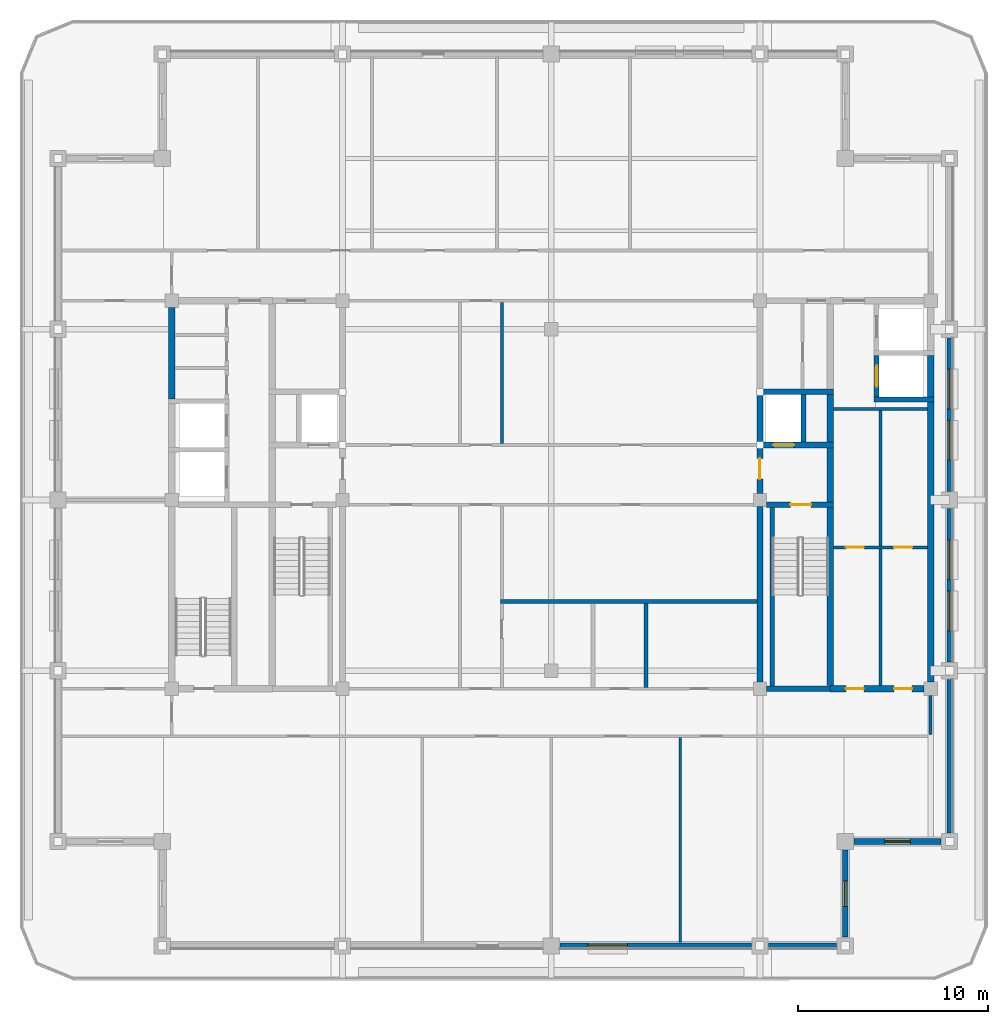
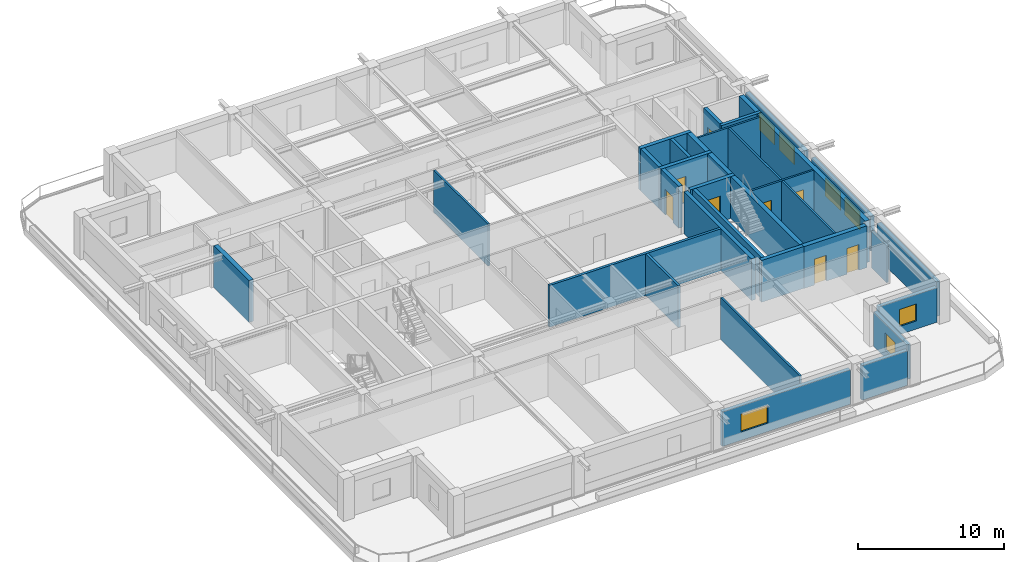
# One storey, part 4 of 11: 34 walls, 8 doors, 7 windows, 15 openings.
"""IFC4 building model written with IfcOpenShell, lengths in metres."""

from ifc_helpers import new_model, si_unit, direction, frame, frame_2d, origin, place, context, subcontext, project, spatial, rectangle, extrude, material, layer, layer_set, type_object, element, fill, save


model = new_model("IFC4")

# Units and contexts
model_context = context("Model", 3, precision=1e-05, world=origin(), true_north=direction((0.0, 1.0)))
body_context = subcontext(model_context, "Body", "Model", "MODEL_VIEW")
ifc_project = project(units=[si_unit("LENGTHUNIT", "METRE"), si_unit("AREAUNIT", "SQUARE_METRE"), si_unit("VOLUMEUNIT", "CUBIC_METRE"), si_unit("PLANEANGLEUNIT", "RADIAN"), si_unit("MASSUNIT", "GRAM", prefix="KILO")], contexts=[model_context])

# Site, building, storey
site_placement = place(None, origin())
site = spatial("IfcSite", under=ifc_project, at=site_placement, CompositionType="ELEMENT")
building_placement = place(site_placement, origin())
building = spatial("IfcBuilding", under=site, at=building_placement, Name="Zulmaris Gate Convention Tower", CompositionType="ELEMENT")
storey_placement = place(building_placement, frame((0.0, 0.0, 270.580078125)))
storey = spatial("IfcBuildingStorey", under=building, at=storey_placement, Name="L72", CompositionType="ELEMENT", Elevation=270.580078125)

# Walls
ifc_material_1 = material(Name="Concrete C50/60", Category="concrete")
ifc_layer_1 = layer(ifc_material_1, 0.25, Name="Concrete C50/60")
ifc_layer_set_1 = layer_set([ifc_layer_1], Name="Concrete C50/60")
wall_type_1 = type_object("IfcWallType", Name="CORE-250", PredefinedType="SOLIDWALL", material=ifc_layer_set_1)
wall_1_placement = place(storey_placement, frame((17.02490234375, 5.300048828125, 0.0), z_axis=(0.0, 0.0, 1.0), x_axis=(1.0, 0.0, 0.0)))
element("IfcWall", 1, at=wall_1_placement, inside=storey, type_object=wall_type_1, Name="WL-L72-011", PredefinedType="SOLIDWALL", context=body_context, shape_type="SweptSolid", body=[
    extrude(rectangle(XDim=3.150146484375, YDim=0.25, at=frame_2d((1.5751953125, 0.0))), origin(), (0.0, 0.0, 1.0), 3.489990234375),
])
wall_2_placement = place(storey_placement, frame((11.64990234375, -9.798095703125, 0.0), z_axis=(0.0, 0.0, 1.0), x_axis=(0.0, 1.0, 0.0)))
element("IfcWall", 2, at=wall_2_placement, inside=storey, type_object=wall_type_1, Name="WL-L72-054", PredefinedType="SOLIDWALL", context=body_context, shape_type="SweptSolid", body=[
    extrude(rectangle(XDim=9.39599609375, YDim=0.25, at=frame_2d((4.697998046875, 0.0))), origin(), (0.0, 0.0, 1.0), 3.489990234375),
])
wall_3_placement = place(storey_placement, frame((13.300048828125, 3.052001953125, 0.0), z_axis=(0.0, 0.0, 1.0), x_axis=(0.0, 1.0, 0.0)))
element("IfcWall", 3, at=wall_3_placement, inside=storey, type_object=wall_type_1, Name="WL-L72-055", PredefinedType="SOLIDWALL", context=body_context, shape_type="SweptSolid", body=[
    extrude(rectangle(XDim=2.49609375, YDim=0.25, at=frame_2d((1.248046875, 0.0))), origin(), (0.0, 0.0, 1.0), 3.489990234375),
])

# Wall, opening, door
wall_4_placement = place(storey_placement, frame((17.14990234375, 5.427001953125, 0.0), z_axis=(0.0, 0.0, 1.0), x_axis=(0.0, 1.0, 0.0)))
wall_4 = element("IfcWall", 4, at=wall_4_placement, inside=storey, type_object=wall_type_1, Name="WL-L72-060", PredefinedType="SOLIDWALL", context=body_context, shape_type="SweptSolid", body=[
    extrude(rectangle(XDim=2.196044921875, YDim=0.25, at=frame_2d((1.09814453125, 0.0))), origin(), (0.0, 0.0, 1.0), 3.489990234375),
])
opening_1_placement = place(wall_4_placement, frame((0.548095703125, 0.0, 0.0)))
opening_1 = element("IfcOpeningElement", 5, at=opening_1_placement, cuts=wall_4, Name="Opening D-06", PredefinedType="OPENING", context=body_context, shape_type="SweptSolid", body=[
    extrude(rectangle(XDim=1.10009765625, YDim=2.199951171875, at=frame_2d((0.550048828125, 1.10009765625))), frame((0.0, 0.135009765625, 0.0), z_axis=(0.0, -1.0, 0.0), x_axis=(1.0, 0.0, 0.0)), (0.0, 0.0, 1.0), 0.27001953125),
])
ifc_material_2 = material(Name="Brushed Stainless Steel", Category="steel")
door_type_1 = type_object("IfcDoorType", Name="LD-1100", OperationType="NOTDEFINED", PredefinedType="DOOR", material=ifc_material_2)
door_1_placement = place(opening_1_placement, origin())
door_1 = element("IfcDoor", 6, at=door_1_placement, inside=storey, type_object=door_type_1, Name="L72 Lift Landing Door HP-01 17", OperationType="SLIDING_TO_RIGHT", OverallHeight=2.199951171875, OverallWidth=1.10009765625, PredefinedType="DOOR", context=body_context, shape_type="SweptSolid", body=[
    extrude(rectangle(XDim=1.10009765625, YDim=2.199951171875, at=frame_2d((0.550048828125, 1.10009765625))), frame((0.0, 0.02490234375, 0.0), z_axis=(0.0, -1.0, 0.0), x_axis=(1.0, 0.0, 0.0)), (0.0, 0.0, 1.0), 0.050048828125),
])
fill(opening_1, door_1)

# Wall
ifc_layer_2 = layer(ifc_material_1, 0.300048828125, Name="Concrete C50/60")
ifc_layer_set_2 = layer_set([ifc_layer_2], Name="Concrete C50/60")
wall_type_2 = type_object("IfcWallType", Name="CORE-300", PredefinedType="SHEAR", material=ifc_layer_set_2)
wall_5_placement = place(storey_placement, frame((11.35400390625, -9.949951171875, 0.0), z_axis=(0.0, 0.0, 1.0), x_axis=(1.0, 0.0, 0.0)))
element("IfcWall", 7, at=wall_5_placement, inside=storey, type_object=wall_type_2, Name="WL-L72-003", PredefinedType="SHEAR", context=body_context, shape_type="SweptSolid", body=[
    extrude(rectangle(XDim=3.345947265625, YDim=0.300048828125, at=frame_2d((1.6728515625, 0.0))), origin(), (0.0, 0.0, 1.0), 3.489990234375),
])

# Wall, opening, door
wall_6_placement = place(storey_placement, frame((11.35400390625, -0.25, 0.0), z_axis=(0.0, 0.0, 1.0), x_axis=(1.0, 0.0, 0.0)))
wall_6 = element("IfcWall", 8, at=wall_6_placement, inside=storey, type_object=wall_type_2, Name="WL-L72-006", PredefinedType="SHEAR", context=body_context, shape_type="SweptSolid", body=[
    extrude(rectangle(XDim=3.52099609375, YDim=0.300048828125, at=frame_2d((1.760498046875, 0.0))), origin(), (0.0, 0.0, 1.0), 3.489990234375),
])
opening_2_placement = place(wall_6_placement, frame((1.24609375, 0.0, 0.0)))
opening_2 = element("IfcOpeningElement", 9, at=opening_2_placement, cuts=wall_6, Name="Opening D-08", PredefinedType="OPENING", context=body_context, shape_type="SweptSolid", body=[
    extrude(rectangle(XDim=1.10009765625, YDim=2.14990234375, at=frame_2d((0.550048828125, 1.074951171875))), frame((0.0, 0.16015625, 0.0), z_axis=(0.0, -1.0, 0.0), x_axis=(1.0, 0.0, 0.0)), (0.0, 0.0, 1.0), 0.320068359375),
])
ifc_material_3 = material(Name="Fire-Rated Steel", Category="steel")
door_type_2 = type_object("IfcDoorType", Name="DR-1100-FD", OperationType="NOTDEFINED", PredefinedType="DOOR", material=ifc_material_3)
door_2_placement = place(opening_2_placement, origin())
door_2 = element("IfcDoor", 10, at=door_2_placement, inside=storey, type_object=door_type_2, Name="L72 Exit Stair ST-2 Door 04", OperationType="SINGLE_SWING_LEFT", OverallHeight=2.14990234375, OverallWidth=1.10009765625, PredefinedType="DOOR", context=body_context, shape_type="SweptSolid", body=[
    extrude(rectangle(XDim=1.10009765625, YDim=2.14990234375, at=frame_2d((0.550048828125, 1.074951171875))), frame((0.0, 0.02490234375, 0.0), z_axis=(0.0, -1.0, 0.0), x_axis=(1.0, 0.0, 0.0)), (0.0, 0.0, 1.0), 0.050048828125),
])
fill(opening_2, door_2)

wall_7_placement = place(storey_placement, frame((10.85009765625, 2.89990234375, 0.0), z_axis=(0.0, 0.0, 1.0), x_axis=(1.0, 0.0, 0.0)))
wall_7 = element("IfcWall", 11, at=wall_7_placement, inside=storey, type_object=wall_type_2, Name="WL-L72-009", PredefinedType="SHEAR", context=body_context, shape_type="SweptSolid", body=[
    extrude(rectangle(XDim=4.02490234375, YDim=0.300048828125, at=frame_2d((2.012451171875, 0.0))), origin(), (0.0, 0.0, 1.0), 3.489990234375),
])
opening_3_placement = place(wall_7_placement, frame((0.85009765625, 0.0, 0.0)))
opening_3 = element("IfcOpeningElement", 12, at=opening_3_placement, cuts=wall_7, Name="Opening D-06", PredefinedType="OPENING", context=body_context, shape_type="SweptSolid", body=[
    extrude(rectangle(XDim=1.10009765625, YDim=2.199951171875, at=frame_2d((0.550048828125, 1.10009765625))), frame((0.0, 0.16015625, 0.0), z_axis=(0.0, -1.0, 0.0), x_axis=(1.0, 0.0, 0.0)), (0.0, 0.0, 1.0), 0.320068359375),
])
door_3_placement = place(opening_3_placement, origin())
door_3 = element("IfcDoor", 13, at=door_3_placement, inside=storey, type_object=door_type_1, Name="L72 Lift Landing Door LF-02 06", OperationType="SLIDING_TO_RIGHT", OverallHeight=2.199951171875, OverallWidth=1.10009765625, PredefinedType="DOOR", context=body_context, shape_type="SweptSolid", body=[
    extrude(rectangle(XDim=1.10009765625, YDim=2.199951171875, at=frame_2d((0.550048828125, 1.10009765625))), frame((0.0, 0.02490234375, 0.0), z_axis=(0.0, -1.0, 0.0), x_axis=(1.0, 0.0, 0.0)), (0.0, 0.0, 1.0), 0.050048828125),
])
fill(opening_3, door_3)

# Walls
wall_8_placement = place(storey_placement, frame((10.85009765625, 5.699951171875, 0.0), z_axis=(0.0, 0.0, 1.0), x_axis=(1.0, 0.0, 0.0)))
element("IfcWall", 14, at=wall_8_placement, inside=storey, type_object=wall_type_2, Name="WL-L72-013", PredefinedType="SHEAR", context=body_context, shape_type="SweptSolid", body=[
    extrude(rectangle(XDim=4.02490234375, YDim=0.300048828125, at=frame_2d((2.012451171875, 0.0))), origin(), (0.0, 0.0, 1.0), 3.489990234375),
])
wall_9_placement = place(storey_placement, frame((11.0, -9.595947265625, 0.0), z_axis=(0.0, 0.0, 1.0), x_axis=(0.0, 1.0, 0.0)))
element("IfcWall", 15, at=wall_9_placement, inside=storey, type_object=wall_type_2, Name="WL-L72-050", PredefinedType="SHEAR", context=body_context, shape_type="SweptSolid", body=[
    extrude(rectangle(XDim=9.241943359375, YDim=0.300048828125, at=frame_2d((4.62109375, 0.0))), origin(), (0.0, 0.0, 1.0), 3.489990234375),
])

# Wall, opening, door
wall_10_placement = place(storey_placement, frame((11.0, 0.35400390625, 0.0), z_axis=(0.0, 0.0, 1.0), x_axis=(0.0, 1.0, 0.0)))
wall_10 = element("IfcWall", 16, at=wall_10_placement, inside=storey, type_object=wall_type_2, Name="WL-L72-051", PredefinedType="SHEAR", context=body_context, shape_type="SweptSolid", body=[
    extrude(rectangle(XDim=2.39404296875, YDim=0.300048828125, at=frame_2d((1.197021484375, 0.0))), origin(), (0.0, 0.0, 1.0), 3.489990234375),
])
opening_4_placement = place(wall_10_placement, frame((0.74609375, 0.0, 0.0)))
opening_4 = element("IfcOpeningElement", 17, at=opening_4_placement, cuts=wall_10, Name="Opening D-08", PredefinedType="OPENING", context=body_context, shape_type="SweptSolid", body=[
    extrude(rectangle(XDim=1.10009765625, YDim=2.14990234375, at=frame_2d((0.550048828125, 1.074951171875))), frame((0.0, 0.16015625, 0.0), z_axis=(0.0, -1.0, 0.0), x_axis=(1.0, 0.0, 0.0)), (0.0, 0.0, 1.0), 0.320068359375),
])
door_4_placement = place(opening_4_placement, origin())
door_4 = element("IfcDoor", 18, at=door_4_placement, inside=storey, type_object=door_type_2, Name="L72 East Firefighting Lobby Door 05", OperationType="SINGLE_SWING_RIGHT", OverallHeight=2.14990234375, OverallWidth=1.10009765625, PredefinedType="DOOR", context=body_context, shape_type="SweptSolid", body=[
    extrude(rectangle(XDim=1.10009765625, YDim=2.14990234375, at=frame_2d((0.550048828125, 1.074951171875))), frame((0.0, 0.02490234375, 0.0), z_axis=(0.0, -1.0, 0.0), x_axis=(1.0, 0.0, 0.0)), (0.0, 0.0, 1.0), 0.050048828125),
])
fill(opening_4, door_4)

# Wall
wall_11_placement = place(storey_placement, frame((11.0, 3.052001953125, 0.0), z_axis=(0.0, 0.0, 1.0), x_axis=(0.0, 1.0, 0.0)))
element("IfcWall", 19, at=wall_11_placement, inside=storey, type_object=wall_type_2, Name="WL-L72-052", PredefinedType="SHEAR", context=body_context, shape_type="SweptSolid", body=[
    extrude(rectangle(XDim=2.49609375, YDim=0.300048828125, at=frame_2d((1.248046875, 0.0))), origin(), (0.0, 0.0, 1.0), 3.489990234375),
])

# Wall, openings, doors
ifc_material_4 = material(Name="Concrete C55/67", Category="concrete")
ifc_layer_3 = layer(ifc_material_4, 0.35009765625, Name="Concrete C55/67")
ifc_layer_set_3 = layer_set([ifc_layer_3], Name="Concrete C55/67")
wall_type_3 = type_object("IfcWallType", Name="CORE-350", PredefinedType="SHEAR", material=ifc_layer_set_3)
wall_12_placement = place(storey_placement, frame((14.699951171875, -9.949951171875, 0.0), z_axis=(0.0, 0.0, 1.0), x_axis=(1.0, 0.0, 0.0)))
wall_12 = element("IfcWall", 20, at=wall_12_placement, inside=storey, type_object=wall_type_3, Name="WL-L72-004", PredefinedType="SHEAR", context=body_context, shape_type="SweptSolid", body=[
    extrude(rectangle(XDim=4.946044921875, YDim=0.35009765625, at=frame_2d((2.47314453125, 0.0))), origin(), (0.0, 0.0, 1.0), 3.489990234375),
])
opening_5_placement = place(wall_12_placement, frame((0.824951171875, 0.0, 0.0)))
opening_5 = element("IfcOpeningElement", 21, at=opening_5_placement, cuts=wall_12, Name="Opening D-11", PredefinedType="OPENING", context=body_context, shape_type="SweptSolid", body=[
    extrude(rectangle(XDim=0.949951171875, YDim=2.14990234375, at=frame_2d((0.47509765625, 1.074951171875))), frame((0.0, 0.18505859375, 0.0), z_axis=(0.0, -1.0, 0.0), x_axis=(1.0, 0.0, 0.0)), (0.0, 0.0, 1.0), 0.3701171875),
])
opening_6_placement = place(wall_12_placement, frame((3.375, 0.0, 0.0)))
opening_6 = element("IfcOpeningElement", 22, at=opening_6_placement, cuts=wall_12, Name="Opening D-11", PredefinedType="OPENING", context=body_context, shape_type="SweptSolid", body=[
    extrude(rectangle(XDim=0.949951171875, YDim=2.14990234375, at=frame_2d((0.47509765625, 1.074951171875))), frame((0.0, 0.18505859375, 0.0), z_axis=(0.0, -1.0, 0.0), x_axis=(1.0, 0.0, 0.0)), (0.0, 0.0, 1.0), 0.3701171875),
])
ifc_material_5 = material(Name="Fire-Rated Timber", Category="wood")
door_type_3 = type_object("IfcDoorType", Name="DR-950-FD", OperationType="NOTDEFINED", PredefinedType="DOOR", material=ifc_material_5)
door_5_placement = place(opening_5_placement, origin())
door_5 = element("IfcDoor", 23, at=door_5_placement, inside=storey, type_object=door_type_3, Name="L72 Staff WC Door 20", OperationType="SINGLE_SWING_RIGHT", OverallHeight=2.14990234375, OverallWidth=0.949951171875, PredefinedType="DOOR", context=body_context, shape_type="SweptSolid", body=[
    extrude(rectangle(XDim=0.949951171875, YDim=2.14990234375, at=frame_2d((0.47509765625, 1.074951171875))), frame((0.0, 0.02490234375, 0.0), z_axis=(0.0, -1.0, 0.0), x_axis=(1.0, 0.0, 0.0)), (0.0, 0.0, 1.0), 0.050048828125),
])
fill(opening_5, door_5)
door_6_placement = place(opening_6_placement, origin())
door_6 = element("IfcDoor", 24, at=door_6_placement, inside=storey, type_object=door_type_3, Name="L72 Vending Room Door 22", OperationType="SINGLE_SWING_RIGHT", OverallHeight=2.14990234375, OverallWidth=0.949951171875, PredefinedType="DOOR", context=body_context, shape_type="SweptSolid", body=[
    extrude(rectangle(XDim=0.949951171875, YDim=2.14990234375, at=frame_2d((0.47509765625, 1.074951171875))), frame((0.0, 0.02490234375, 0.0), z_axis=(0.0, -1.0, 0.0), x_axis=(1.0, 0.0, 0.0)), (0.0, 0.0, 1.0), 0.050048828125),
])
fill(opening_6, door_6)

# Walls
wall_13_placement = place(storey_placement, frame((-20.0, 5.326904296875, 0.0), z_axis=(0.0, 0.0, 1.0), x_axis=(0.0, 1.0, 0.0)))
element("IfcWall", 25, at=wall_13_placement, inside=storey, type_object=wall_type_3, Name="WL-L72-036", PredefinedType="SHEAR", context=body_context, shape_type="SweptSolid", body=[
    extrude(rectangle(XDim=4.819091796875, YDim=0.35009765625, at=frame_2d((2.40966796875, 0.0))), origin(), (0.0, 0.0, 1.0), 3.489990234375),
])
wall_14_placement = place(storey_placement, frame((14.699951171875, -9.77294921875, 0.0), z_axis=(0.0, 0.0, 1.0), x_axis=(0.0, 1.0, 0.0)))
element("IfcWall", 26, at=wall_14_placement, inside=storey, type_object=wall_type_3, Name="WL-L72-056", PredefinedType="SHEAR", context=body_context, shape_type="SweptSolid", body=[
    extrude(rectangle(XDim=9.370849609375, YDim=0.35009765625, at=frame_2d((4.685546875, 0.0))), origin(), (0.0, 0.0, 1.0), 3.489990234375),
])
wall_15_placement = place(storey_placement, frame((14.699951171875, -0.097900390625, 0.0), z_axis=(0.0, 0.0, 1.0), x_axis=(0.0, 1.0, 0.0)))
element("IfcWall", 27, at=wall_15_placement, inside=storey, type_object=wall_type_3, Name="WL-L72-057", PredefinedType="SHEAR", context=body_context, shape_type="SweptSolid", body=[
    extrude(rectangle(XDim=2.845947265625, YDim=0.35009765625, at=frame_2d((1.4228515625, 0.0))), origin(), (0.0, 0.0, 1.0), 3.489990234375),
])
wall_16_placement = place(storey_placement, frame((14.699951171875, 3.052001953125, 0.0), z_axis=(0.0, 0.0, 1.0), x_axis=(0.0, 1.0, 0.0)))
element("IfcWall", 28, at=wall_16_placement, inside=storey, type_object=wall_type_3, Name="WL-L72-058", PredefinedType="SHEAR", context=body_context, shape_type="SweptSolid", body=[
    extrude(rectangle(XDim=2.49609375, YDim=0.35009765625, at=frame_2d((1.248046875, 0.0))), origin(), (0.0, 0.0, 1.0), 3.489990234375),
])
wall_17_placement = place(storey_placement, frame((20.0, -9.595947265625, 0.0), z_axis=(0.0, 0.0, 1.0), x_axis=(0.0, 1.0, 0.0)))
element("IfcWall", 29, at=wall_17_placement, inside=storey, type_object=wall_type_3, Name="WL-L72-062", PredefinedType="SHEAR", context=body_context, shape_type="SweptSolid", body=[
    extrude(rectangle(XDim=14.76904296875, YDim=0.35009765625, at=frame_2d((7.384521484375, 0.0))), origin(), (0.0, 0.0, 1.0), 3.489990234375),
])
wall_18_placement = place(storey_placement, frame((20.0, 5.427001953125, 0.0), z_axis=(0.0, 0.0, 1.0), x_axis=(0.0, 1.0, 0.0)))
element("IfcWall", 30, at=wall_18_placement, inside=storey, type_object=wall_type_3, Name="WL-L72-063", PredefinedType="SHEAR", context=body_context, shape_type="SweptSolid", body=[
    extrude(rectangle(XDim=2.196044921875, YDim=0.35009765625, at=frame_2d((1.09814453125, 0.0))), origin(), (0.0, 0.0, 1.0), 3.489990234375),
])

# Wall, openings, doors
ifc_material_6 = material(Name="Gypsum Metal Stud Partition")
ifc_layer_4 = layer(ifc_material_6, 0.14990234375, Name="Gypsum Metal Stud Partition")
ifc_layer_set_4 = layer_set([ifc_layer_4], Name="Gypsum Metal Stud Partition")
wall_type_4 = type_object("IfcWallType", Name="PART-150", PredefinedType="PARTITIONING", material=ifc_layer_set_4)
wall_19_placement = place(storey_placement, frame((14.8779296875, -2.5, 0.0), z_axis=(0.0, 0.0, 1.0), x_axis=(1.0, 0.0, 0.0)))
wall_19 = element("IfcWall", 31, at=wall_19_placement, inside=storey, type_object=wall_type_4, Name="WL-L72-023", PredefinedType="PARTITIONING", context=body_context, shape_type="SweptSolid", body=[
    extrude(rectangle(XDim=4.944091796875, YDim=0.14990234375, at=frame_2d((2.47216796875, 0.0))), origin(), (0.0, 0.0, 1.0), 3.489990234375),
])
opening_7_placement = place(wall_19_placement, frame((0.64697265625, 0.0, 0.0)))
opening_7 = element("IfcOpeningElement", 32, at=opening_7_placement, cuts=wall_19, Name="Opening D-11", PredefinedType="OPENING", context=body_context, shape_type="SweptSolid", body=[
    extrude(rectangle(XDim=0.949951171875, YDim=2.14990234375, at=frame_2d((0.47509765625, 1.074951171875))), frame((0.0, 0.0849609375, 0.0), z_axis=(0.0, -1.0, 0.0), x_axis=(1.0, 0.0, 0.0)), (0.0, 0.0, 1.0), 0.169921875),
])
opening_8_placement = place(wall_19_placement, frame((3.197021484375, 0.0, 0.0)))
opening_8 = element("IfcOpeningElement", 33, at=opening_8_placement, cuts=wall_19, Name="Opening D-11", PredefinedType="OPENING", context=body_context, shape_type="SweptSolid", body=[
    extrude(rectangle(XDim=0.949951171875, YDim=2.14990234375, at=frame_2d((0.47509765625, 1.074951171875))), frame((0.0, 0.0849609375, 0.0), z_axis=(0.0, -1.0, 0.0), x_axis=(1.0, 0.0, 0.0)), (0.0, 0.0, 1.0), 0.169921875),
])
door_7_placement = place(opening_7_placement, origin())
door_7 = element("IfcDoor", 34, at=door_7_placement, inside=storey, type_object=door_type_3, Name="L72 Locker Store Door 21", OperationType="SINGLE_SWING_LEFT", OverallHeight=2.14990234375, OverallWidth=0.949951171875, PredefinedType="DOOR", context=body_context, shape_type="SweptSolid", body=[
    extrude(rectangle(XDim=0.949951171875, YDim=2.14990234375, at=frame_2d((0.47509765625, 1.074951171875))), frame((0.0, 0.02490234375, 0.0), z_axis=(0.0, -1.0, 0.0), x_axis=(1.0, 0.0, 0.0)), (0.0, 0.0, 1.0), 0.050048828125),
])
fill(opening_7, door_7)
door_8_placement = place(opening_8_placement, origin())
door_8 = element("IfcDoor", 35, at=door_8_placement, inside=storey, type_object=door_type_3, Name="L72 Ice Store Door 23", OperationType="SINGLE_SWING_LEFT", OverallHeight=2.14990234375, OverallWidth=0.949951171875, PredefinedType="DOOR", context=body_context, shape_type="SweptSolid", body=[
    extrude(rectangle(XDim=0.949951171875, YDim=2.14990234375, at=frame_2d((0.47509765625, 1.074951171875))), frame((0.0, 0.02490234375, 0.0), z_axis=(0.0, -1.0, 0.0), x_axis=(1.0, 0.0, 0.0)), (0.0, 0.0, 1.0), 0.050048828125),
])
fill(opening_8, door_8)

# Walls
wall_20_placement = place(storey_placement, frame((14.8779296875, 4.800048828125, 0.0), z_axis=(0.0, 0.0, 1.0), x_axis=(1.0, 0.0, 0.0)))
element("IfcWall", 36, at=wall_20_placement, inside=storey, type_object=wall_type_4, Name="WL-L72-027", PredefinedType="PARTITIONING", context=body_context, shape_type="SweptSolid", body=[
    extrude(rectangle(XDim=4.944091796875, YDim=0.14990234375, at=frame_2d((2.47216796875, 0.0))), origin(), (0.0, 0.0, 1.0), 3.489990234375),
])
wall_21_placement = place(storey_placement, frame((-2.60009765625, 2.97802734375, 0.0), z_axis=(0.0, 0.0, 1.0), x_axis=(0.0, 1.0, 0.0)))
element("IfcWall", 37, at=wall_21_placement, inside=storey, type_object=wall_type_4, Name="WL-L72-078", PredefinedType="PARTITIONING", context=body_context, shape_type="SweptSolid", body=[
    extrude(rectangle(XDim=7.444091796875, YDim=0.14990234375, at=frame_2d((3.72216796875, 0.0))), origin(), (0.0, 0.0, 1.0), 3.489990234375),
])
wall_22_placement = place(storey_placement, frame((6.800048828125, -23.3349609375, 0.0), z_axis=(0.0, 0.0, 1.0), x_axis=(0.0, 1.0, 0.0)))
element("IfcWall", 38, at=wall_22_placement, inside=storey, type_object=wall_type_4, Name="WL-L72-083", PredefinedType="PARTITIONING", context=body_context, shape_type="SweptSolid", body=[
    extrude(rectangle(XDim=10.806884765625, YDim=0.14990234375, at=frame_2d((5.4033203125, 0.0))), origin(), (0.0, 0.0, 1.0), 3.489990234375),
])
wall_23_placement = place(storey_placement, frame((17.35009765625, -9.77197265625, 0.0), z_axis=(0.0, 0.0, 1.0), x_axis=(0.0, 1.0, 0.0)))
element("IfcWall", 39, at=wall_23_placement, inside=storey, type_object=wall_type_4, Name="WL-L72-085", PredefinedType="PARTITIONING", context=body_context, shape_type="SweptSolid", body=[
    extrude(rectangle(XDim=7.194091796875, YDim=0.14990234375, at=frame_2d((3.59716796875, 0.0))), origin(), (0.0, 0.0, 1.0), 3.489990234375),
])
wall_24_placement = place(storey_placement, frame((17.35009765625, -2.422119140625, 0.0), z_axis=(0.0, 0.0, 1.0), x_axis=(0.0, 1.0, 0.0)))
element("IfcWall", 40, at=wall_24_placement, inside=storey, type_object=wall_type_4, Name="WL-L72-086", PredefinedType="PARTITIONING", context=body_context, shape_type="SweptSolid", body=[
    extrude(rectangle(XDim=7.14404296875, YDim=0.14990234375, at=frame_2d((3.572021484375, 0.0))), origin(), (0.0, 0.0, 1.0), 3.489990234375),
])
wall_25_placement = place(storey_placement, frame((20.0, -12.3720703125, 0.0), z_axis=(0.0, 0.0, 1.0), x_axis=(0.0, 1.0, 0.0)))
element("IfcWall", 41, at=wall_25_placement, inside=storey, type_object=wall_type_4, Name="WL-L72-087", PredefinedType="PARTITIONING", context=body_context, shape_type="SweptSolid", body=[
    extrude(rectangle(XDim=2.066162109375, YDim=0.14990234375, at=frame_2d((1.033203125, 0.0))), origin(), (0.0, 0.0, 1.0), 3.080078125),
])
ifc_material_7 = material(Name="Autoclaved Aerated Concrete Block and Plasterboard", Category="concrete")
ifc_layer_5 = layer(ifc_material_7, 0.199951171875, Name="Autoclaved Aerated Concrete Block and Plasterboard")
ifc_layer_set_5 = layer_set([ifc_layer_5], Name="Autoclaved Aerated Concrete Block and Plasterboard")
wall_type_5 = type_object("IfcWallType", Name="PART-200", PredefinedType="PARTITIONING", material=ifc_layer_set_5)
wall_26_placement = place(storey_placement, frame((-2.675048828125, -5.35009765625, 0.0), z_axis=(0.0, 0.0, 1.0), x_axis=(1.0, 0.0, 0.0)))
element("IfcWall", 42, at=wall_26_placement, inside=storey, type_object=wall_type_5, Name="WL-L72-022", PredefinedType="PARTITIONING", context=body_context, shape_type="SweptSolid", body=[
    extrude(rectangle(XDim=13.52197265625, YDim=0.199951171875, at=frame_2d((6.760986328125, 0.0))), origin(), (0.0, 0.0, 1.0), 3.489990234375),
])
wall_27_placement = place(storey_placement, frame((5.0, -9.8720703125, 0.0), z_axis=(0.0, 0.0, 1.0), x_axis=(0.0, 1.0, 0.0)))
element("IfcWall", 43, at=wall_27_placement, inside=storey, type_object=wall_type_5, Name="WL-L72-082", PredefinedType="PARTITIONING", context=body_context, shape_type="SweptSolid", body=[
    extrude(rectangle(XDim=4.419189453125, YDim=0.199951171875, at=frame_2d((2.20947265625, 0.0))), origin(), (0.0, 0.0, 1.0), 3.489990234375),
])

# Wall, opening, window
ifc_material_8 = material(Name="Precast concrete C40/50", Category="concrete")
ifc_layer_6 = layer(ifc_material_8, 0.300048828125, Name="Precast concrete C40/50")
ifc_layer_set_6 = layer_set([ifc_layer_6], Name="Precast concrete C40/50")
wall_type_6 = type_object("IfcWallType", Name="PRECAST-PIER-300", PredefinedType="STANDARD", material=ifc_layer_set_6)
wall_28_placement = place(storey_placement, frame((15.5, -23.044921875, 0.0), z_axis=(0.0, 0.0, 1.0), x_axis=(0.0, 1.0, 0.0)))
wall_28 = element("IfcWall", 44, at=wall_28_placement, inside=storey, type_object=wall_type_6, Name="EW-L72-NOTCH-SE1_0", PredefinedType="STANDARD", context=body_context, shape_type="SweptSolid", body=[
    extrude(rectangle(XDim=4.58984375, YDim=0.300048828125, at=frame_2d((2.294921875, 0.0))), origin(), (0.0, 0.0, 1.0), 2.882080078125),
])
opening_9_placement = place(wall_28_placement, frame((1.6201171875, 0.0, 0.679931640625)))
opening_9 = element("IfcOpeningElement", 45, at=opening_9_placement, cuts=wall_28, Name="Opening W-10", PredefinedType="OPENING", context=body_context, shape_type="SweptSolid", body=[
    extrude(rectangle(XDim=1.35009765625, YDim=1.419921875, at=frame_2d((0.675048828125, 0.7099609375))), frame((0.0, 0.16015625, 0.0), z_axis=(0.0, -1.0, 0.0), x_axis=(1.0, 0.0, 0.0)), (0.0, 0.0, 1.0), 0.320068359375),
])
ifc_material_9 = material(Name="Low-E Laminated Double Glazing in Aluminium Frame", Category="aluminium")
window_type_1 = type_object("IfcWindowType", Name="WIN-1350x2000", PartitioningType="SINGLE_PANEL", PredefinedType="WINDOW", material=ifc_material_9)
window_1_placement = place(opening_9_placement, origin())
window_1 = element("IfcWindow", 46, at=window_1_placement, inside=storey, type_object=window_type_1, Name="WN-EW-L72-NOTCH-SE1_0", OverallHeight=1.419921875, OverallWidth=1.35009765625, PartitioningType="SINGLE_PANEL", PredefinedType="WINDOW", context=body_context, shape_type="SweptSolid", body=[
    extrude(rectangle(XDim=1.35009765625, YDim=1.419921875, at=frame_2d((0.675048828125, 0.7099609375))), frame((0.0, 0.030029296875, 0.0), z_axis=(0.0, -1.0, 0.0), x_axis=(1.0, 0.0, 0.0)), (0.0, 0.0, 1.0), 0.06005859375),
])
fill(opening_9, window_1)

wall_29_placement = place(storey_placement, frame((15.955078125, -18.0, 0.0), z_axis=(0.0, 0.0, 1.0), x_axis=(1.0, 0.0, 0.0)))
wall_29 = element("IfcWall", 47, at=wall_29_placement, inside=storey, type_object=wall_type_6, Name="EW-L72-NOTCH-SE2_0", PredefinedType="STANDARD", context=body_context, shape_type="SweptSolid", body=[
    extrude(rectangle(XDim=4.58984375, YDim=0.300048828125, at=frame_2d((2.294921875, 0.0))), origin(), (0.0, 0.0, 1.0), 2.882080078125),
])
opening_10_placement = place(wall_29_placement, frame((1.6201171875, 0.0, 0.679931640625)))
opening_10 = element("IfcOpeningElement", 48, at=opening_10_placement, cuts=wall_29, Name="Opening W-10", PredefinedType="OPENING", context=body_context, shape_type="SweptSolid", body=[
    extrude(rectangle(XDim=1.35009765625, YDim=1.419921875, at=frame_2d((0.675048828125, 0.7099609375))), frame((0.0, 0.16015625, 0.0), z_axis=(0.0, -1.0, 0.0), x_axis=(1.0, 0.0, 0.0)), (0.0, 0.0, 1.0), 0.320068359375),
])
window_2_placement = place(opening_10_placement, origin())
window_2 = element("IfcWindow", 49, at=window_2_placement, inside=storey, type_object=window_type_1, Name="WN-EW-L72-NOTCH-SE2_0", OverallHeight=1.419921875, OverallWidth=1.35009765625, PartitioningType="SINGLE_PANEL", PredefinedType="WINDOW", context=body_context, shape_type="SweptSolid", body=[
    extrude(rectangle(XDim=1.35009765625, YDim=1.419921875, at=frame_2d((0.675048828125, 0.7099609375))), frame((0.0, 0.030029296875, 0.0), z_axis=(0.0, -1.0, 0.0), x_axis=(1.0, 0.0, 0.0)), (0.0, 0.0, 1.0), 0.06005859375),
])
fill(opening_10, window_2)

wall_30_placement = place(storey_placement, frame((0.455078125, -23.5, 0.0), z_axis=(0.0, 0.0, 1.0), x_axis=(1.0, 0.0, 0.0)))
wall_30 = element("IfcWall", 50, at=wall_30_placement, inside=storey, type_object=wall_type_6, Name="EW-L72-S-2_0", PredefinedType="STANDARD", context=body_context, shape_type="SweptSolid", body=[
    extrude(rectangle(XDim=10.08984375, YDim=0.300048828125, at=frame_2d((5.044921875, 0.0))), origin(), (0.0, 0.0, 1.0), 2.882080078125),
])
opening_11_placement = place(wall_30_placement, frame((1.471923828125, 0.0, 0.699951171875)))
opening_11 = element("IfcOpeningElement", 51, at=opening_11_placement, cuts=wall_30, Name="Opening W-05", PredefinedType="OPENING", context=body_context, shape_type="SweptSolid", body=[
    extrude(rectangle(XDim=2.10009765625, YDim=1.5, at=frame_2d((1.050048828125, 0.75))), frame((0.0, 0.16015625, 0.0), z_axis=(0.0, -1.0, 0.0), x_axis=(1.0, 0.0, 0.0)), (0.0, 0.0, 1.0), 0.320068359375),
])
window_type_2 = type_object("IfcWindowType", Name="WIN-2100x2400", PartitioningType="SINGLE_PANEL", PredefinedType="WINDOW", material=ifc_material_9)
window_3_placement = place(opening_11_placement, origin())
window_3 = element("IfcWindow", 52, at=window_3_placement, inside=storey, type_object=window_type_2, Name="WN-EW-L72-S-2_0-1", OverallHeight=1.5, OverallWidth=2.10009765625, PartitioningType="SINGLE_PANEL", PredefinedType="WINDOW", context=body_context, shape_type="SweptSolid", body=[
    extrude(rectangle(XDim=2.10009765625, YDim=1.5, at=frame_2d((1.050048828125, 0.75))), frame((0.0, 0.030029296875, 0.0), z_axis=(0.0, -1.0, 0.0), x_axis=(1.0, 0.0, 0.0)), (0.0, 0.0, 1.0), 0.06005859375),
])
fill(opening_11, window_3)

# Walls
wall_31_placement = place(storey_placement, frame((11.455078125, -23.5, 0.0), z_axis=(0.0, 0.0, 1.0), x_axis=(1.0, 0.0, 0.0)))
element("IfcWall", 53, at=wall_31_placement, inside=storey, type_object=wall_type_6, Name="EW-L72-S-3_0", PredefinedType="STANDARD", context=body_context, shape_type="SweptSolid", body=[
    extrude(rectangle(XDim=3.58984375, YDim=0.300048828125, at=frame_2d((1.794921875, 0.0))), origin(), (0.0, 0.0, 1.0), 2.882080078125),
])
wall_32_placement = place(storey_placement, frame((21.0, -17.544921875, 0.0), z_axis=(0.0, 0.0, 1.0), x_axis=(0.0, 1.0, 0.0)))
element("IfcWall", 54, at=wall_32_placement, inside=storey, type_object=wall_type_6, Name="EW-L72-E-0_0", PredefinedType="STANDARD", context=body_context, shape_type="SweptSolid", body=[
    extrude(rectangle(XDim=8.08984375, YDim=0.300048828125, at=frame_2d((4.044921875, 0.0))), origin(), (0.0, 0.0, 1.0), 2.882080078125),
])

# Wall, openings, windows
wall_33_placement = place(storey_placement, frame((21.0, -8.544921875, 0.0), z_axis=(0.0, 0.0, 1.0), x_axis=(0.0, 1.0, 0.0)))
wall_33 = element("IfcWall", 55, at=wall_33_placement, inside=storey, type_object=wall_type_6, Name="EW-L72-E-1_0", PredefinedType="STANDARD", context=body_context, shape_type="SweptSolid", body=[
    extrude(rectangle(XDim=8.08984375, YDim=0.300048828125, at=frame_2d((4.044921875, 0.0))), origin(), (0.0, 0.0, 1.0), 2.882080078125),
])
opening_12_placement = place(wall_33_placement, frame((1.64697265625, 0.0, 0.699951171875)))
opening_12 = element("IfcOpeningElement", 56, at=opening_12_placement, cuts=wall_33, Name="Opening W-05", PredefinedType="OPENING", context=body_context, shape_type="SweptSolid", body=[
    extrude(rectangle(XDim=2.10009765625, YDim=1.5, at=frame_2d((1.050048828125, 0.75))), frame((0.0, 0.16015625, 0.0), z_axis=(0.0, -1.0, 0.0), x_axis=(1.0, 0.0, 0.0)), (0.0, 0.0, 1.0), 0.320068359375),
])
opening_13_placement = place(wall_33_placement, frame((4.343017578125, 0.0, 0.699951171875)))
opening_13 = element("IfcOpeningElement", 57, at=opening_13_placement, cuts=wall_33, Name="Opening W-05", PredefinedType="OPENING", context=body_context, shape_type="SweptSolid", body=[
    extrude(rectangle(XDim=2.10009765625, YDim=1.5, at=frame_2d((1.050048828125, 0.75))), frame((0.0, 0.16015625, 0.0), z_axis=(0.0, -1.0, 0.0), x_axis=(1.0, 0.0, 0.0)), (0.0, 0.0, 1.0), 0.320068359375),
])
window_4_placement = place(opening_12_placement, origin())
window_4 = element("IfcWindow", 58, at=window_4_placement, inside=storey, type_object=window_type_2, Name="WN-EW-L72-E-1_0-1", OverallHeight=1.5, OverallWidth=2.10009765625, PartitioningType="SINGLE_PANEL", PredefinedType="WINDOW", context=body_context, shape_type="SweptSolid", body=[
    extrude(rectangle(XDim=2.10009765625, YDim=1.5, at=frame_2d((1.050048828125, 0.75))), frame((0.0, 0.030029296875, 0.0), z_axis=(0.0, -1.0, 0.0), x_axis=(1.0, 0.0, 0.0)), (0.0, 0.0, 1.0), 0.06005859375),
])
fill(opening_12, window_4)
window_5_placement = place(opening_13_placement, origin())
window_5 = element("IfcWindow", 59, at=window_5_placement, inside=storey, type_object=window_type_2, Name="WN-EW-L72-E-1_0-2", OverallHeight=1.5, OverallWidth=2.10009765625, PartitioningType="SINGLE_PANEL", PredefinedType="WINDOW", context=body_context, shape_type="SweptSolid", body=[
    extrude(rectangle(XDim=2.10009765625, YDim=1.5, at=frame_2d((1.050048828125, 0.75))), frame((0.0, 0.030029296875, 0.0), z_axis=(0.0, -1.0, 0.0), x_axis=(1.0, 0.0, 0.0)), (0.0, 0.0, 1.0), 0.06005859375),
])
fill(opening_13, window_5)

wall_34_placement = place(storey_placement, frame((21.0, 0.455078125, 0.0), z_axis=(0.0, 0.0, 1.0), x_axis=(0.0, 1.0, 0.0)))
wall_34 = element("IfcWall", 60, at=wall_34_placement, inside=storey, type_object=wall_type_6, Name="EW-L72-E-2_0", PredefinedType="STANDARD", context=body_context, shape_type="SweptSolid", body=[
    extrude(rectangle(XDim=8.08984375, YDim=0.300048828125, at=frame_2d((4.044921875, 0.0))), origin(), (0.0, 0.0, 1.0), 2.882080078125),
])
opening_14_placement = place(wall_34_placement, frame((1.64697265625, 0.0, 0.699951171875)))
opening_14 = element("IfcOpeningElement", 61, at=opening_14_placement, cuts=wall_34, Name="Opening W-05", PredefinedType="OPENING", context=body_context, shape_type="SweptSolid", body=[
    extrude(rectangle(XDim=2.10009765625, YDim=1.5, at=frame_2d((1.050048828125, 0.75))), frame((0.0, 0.16015625, 0.0), z_axis=(0.0, -1.0, 0.0), x_axis=(1.0, 0.0, 0.0)), (0.0, 0.0, 1.0), 0.320068359375),
])
opening_15_placement = place(wall_34_placement, frame((4.343017578125, 0.0, 0.699951171875)))
opening_15 = element("IfcOpeningElement", 62, at=opening_15_placement, cuts=wall_34, Name="Opening W-05", PredefinedType="OPENING", context=body_context, shape_type="SweptSolid", body=[
    extrude(rectangle(XDim=2.10009765625, YDim=1.5, at=frame_2d((1.050048828125, 0.75))), frame((0.0, 0.16015625, 0.0), z_axis=(0.0, -1.0, 0.0), x_axis=(1.0, 0.0, 0.0)), (0.0, 0.0, 1.0), 0.320068359375),
])
window_6_placement = place(opening_14_placement, origin())
window_6 = element("IfcWindow", 63, at=window_6_placement, inside=storey, type_object=window_type_2, Name="WN-EW-L72-E-2_0-1", OverallHeight=1.5, OverallWidth=2.10009765625, PartitioningType="SINGLE_PANEL", PredefinedType="WINDOW", context=body_context, shape_type="SweptSolid", body=[
    extrude(rectangle(XDim=2.10009765625, YDim=1.5, at=frame_2d((1.050048828125, 0.75))), frame((0.0, 0.030029296875, 0.0), z_axis=(0.0, -1.0, 0.0), x_axis=(1.0, 0.0, 0.0)), (0.0, 0.0, 1.0), 0.06005859375),
])
fill(opening_14, window_6)
window_7_placement = place(opening_15_placement, origin())
window_7 = element("IfcWindow", 64, at=window_7_placement, inside=storey, type_object=window_type_2, Name="WN-EW-L72-E-2_0-2", OverallHeight=1.5, OverallWidth=2.10009765625, PartitioningType="SINGLE_PANEL", PredefinedType="WINDOW", context=body_context, shape_type="SweptSolid", body=[
    extrude(rectangle(XDim=2.10009765625, YDim=1.5, at=frame_2d((1.050048828125, 0.75))), frame((0.0, 0.030029296875, 0.0), z_axis=(0.0, -1.0, 0.0), x_axis=(1.0, 0.0, 0.0)), (0.0, 0.0, 1.0), 0.06005859375),
])
fill(opening_15, window_7)

save(model, "model.ifc")
